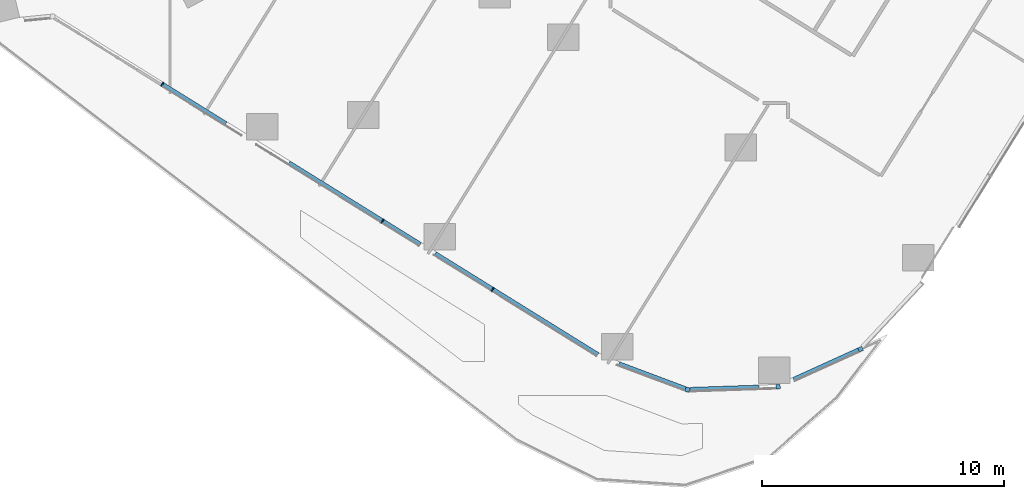
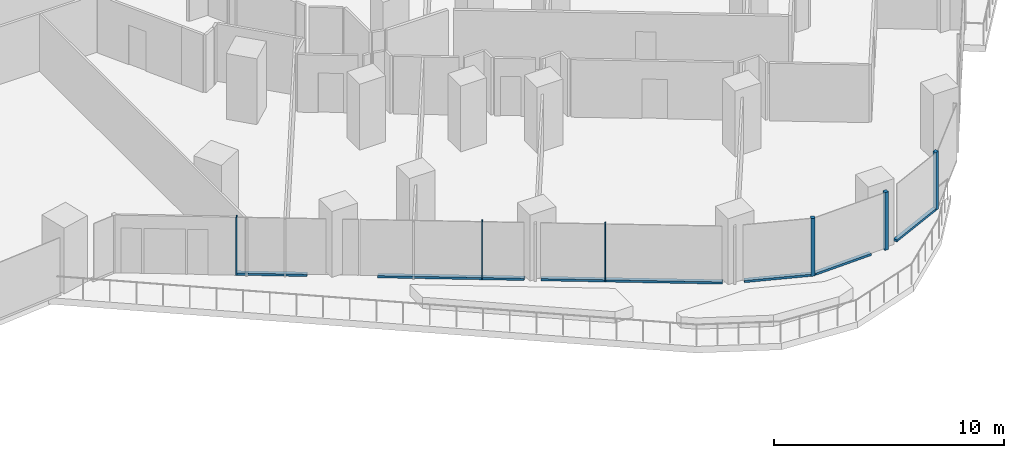
# One storey, part 7 of 34: 12 members, 4 elements without a shape of their own.
"""IFC4 building model written with IfcOpenShell, lengths in metres."""

from ifc_helpers import new_model, si_unit, direction, frame, origin, origin_2d, place, context, subcontext, project, spatial, rectangle, extrude, material, material_profile, profile_set, type_object, element, aggregate, save


model = new_model("IFC4")

# Units and contexts
model_context = context("Model", 3, precision=1e-05, world=origin(), true_north=direction((0.0, 1.0)))
body_context = subcontext(model_context, "Body", "Model", "MODEL_VIEW")
ifc_project = project(units=[si_unit("LENGTHUNIT", "METRE"), si_unit("AREAUNIT", "SQUARE_METRE"), si_unit("VOLUMEUNIT", "CUBIC_METRE"), si_unit("PLANEANGLEUNIT", "RADIAN"), si_unit("MASSUNIT", "GRAM", prefix="KILO")], contexts=[model_context])

# Site, building, storey
site_placement = place(None, origin())
site = spatial("IfcSite", under=ifc_project, at=site_placement, CompositionType="ELEMENT")
building_placement = place(site_placement, origin())
building = spatial("IfcBuilding", under=site, at=building_placement, Name="Orlundy Tower", CompositionType="ELEMENT")
storey_placement = place(building_placement, frame((0.0, 0.0, 37.300048828125)))
storey = spatial("IfcBuildingStorey", under=building, at=storey_placement, Name="L07", CompositionType="ELEMENT", Elevation=37.300048828125)

# Curtain wall, member
ifc_material_1 = material(Name="Aluminium bronze anodised", Category="aluminium")
curtain_wall_type = type_object("IfcCurtainWallType", Name="CW1 wall", PredefinedType="NOTDEFINED", material=ifc_material_1)
curtain_wall_1_placement = place(storey_placement, origin())
curtain_wall_1 = element("IfcCurtainWall", 1, at=curtain_wall_1_placement, inside=storey, type_object=curtain_wall_type, Name="CW1 run 013", PredefinedType="NOTDEFINED")
ifc_material_2 = material(Name="Aluminium bronze anodised", Category="aluminium")
ifc_material_profile_1 = material_profile(ifc_material_2, rectangle(XDim=0.179931640625, YDim=0.179931640625, at=origin_2d()), Name="CW1 corner post 180x180")
ifc_profile_set_1 = profile_set([ifc_material_profile_1], Name="Aluminium bronze anodised")
member_type_1 = type_object("IfcMemberType", Name="CW1 corner post 180x180", PredefinedType="MULLION", material=ifc_profile_set_1)
member_1_placement = place(storey_placement, frame((42.533447265625, -43.08544921875, 0.0), z_axis=(0.0, 0.0, 1.0), x_axis=(0.413335357608, -0.91057887201, 0.0)))
member_1 = element("IfcMember", 2, at=member_1_placement, type_object=member_type_1, Name="CW1 mullion 41", PredefinedType="MULLION", context=body_context, shape_type="SweptSolid", body=[
    extrude(rectangle(XDim=0.179931640625, YDim=0.179931640625, at=origin_2d()), origin(), (0.0, 0.0, 1.0), 3.079833984375),
])

curtain_wall_2_placement = place(storey_placement, origin())
curtain_wall_2 = element("IfcCurtainWall", 3, at=curtain_wall_2_placement, inside=storey, type_object=curtain_wall_type, Name="CW1 run 014", PredefinedType="NOTDEFINED")
member_2_placement = place(storey_placement, frame((39.1259765625, -44.63232421875, 0.0), z_axis=(0.0, 0.0, 1.0), x_axis=(0.033449557474, -0.99944040698, 0.0)))
member_2 = element("IfcMember", 4, at=member_2_placement, type_object=member_type_1, Name="CW1 mullion 42", PredefinedType="MULLION", context=body_context, shape_type="SweptSolid", body=[
    extrude(rectangle(XDim=0.179931640625, YDim=0.179931640625, at=origin_2d()), origin(), (0.0, 0.0, 1.0), 3.079833984375),
])

curtain_wall_3_placement = place(storey_placement, origin())
curtain_wall_3 = element("IfcCurtainWall", 5, at=curtain_wall_3_placement, inside=storey, type_object=curtain_wall_type, Name="CW1 run 015", PredefinedType="NOTDEFINED")
member_3_placement = place(storey_placement, frame((35.385009765625, -44.757568359375, 0.0), z_axis=(0.0, 0.0, 1.0), x_axis=(-0.351537332791, -0.936173864009, 0.0)))
member_3 = element("IfcMember", 6, at=member_3_placement, type_object=member_type_1, Name="CW1 mullion 43", PredefinedType="MULLION", context=body_context, shape_type="SweptSolid", body=[
    extrude(rectangle(XDim=0.179931640625, YDim=0.179931640625, at=origin_2d()), origin(), (0.0, 0.0, 1.0), 3.079833984375),
])

# Curtain wall, members
curtain_wall_4_placement = place(storey_placement, origin())
curtain_wall_4 = element("IfcCurtainWall", 7, at=curtain_wall_4_placement, inside=storey, type_object=curtain_wall_type, Name="CW1 run 016", PredefinedType="NOTDEFINED")
ifc_material_3 = material(Name="Aluminium bronze anodised", Category="aluminium")
ifc_material_profile_2 = material_profile(ifc_material_3, rectangle(XDim=0.179931640625, YDim=0.050048828125, at=origin_2d()), Name="CW1 mullion 50x180")
ifc_profile_set_2 = profile_set([ifc_material_profile_2], Name="Aluminium bronze anodised")
member_type_2 = type_object("IfcMemberType", Name="CW1 mullion 50x180", PredefinedType="MULLION", material=ifc_profile_set_2)
member_4_placement = place(storey_placement, frame((27.33154296875, -40.614990234375, 0.0), z_axis=(0.0, 0.0, 1.0), x_axis=(-0.52744929328, -0.849586512969, 0.0)))
member_4 = element("IfcMember", 8, at=member_4_placement, type_object=member_type_2, Name="CW1 mullion 45", PredefinedType="MULLION", context=body_context, shape_type="SweptSolid", body=[
    extrude(rectangle(XDim=0.179931640625, YDim=0.050048828125, at=origin_2d()), origin(), (0.0, 0.0, 1.0), 3.079833984375),
])
member_5_placement = place(storey_placement, frame((22.780517578125, -37.78955078125, 0.0), z_axis=(0.0, 0.0, 1.0), x_axis=(-0.52744929328, -0.849586512969, 0.0)))
member_5 = element("IfcMember", 9, at=member_5_placement, type_object=member_type_2, Name="CW1 mullion 46", PredefinedType="MULLION", context=body_context, shape_type="SweptSolid", body=[
    extrude(rectangle(XDim=0.179931640625, YDim=0.050048828125, at=origin_2d()), origin(), (0.0, 0.0, 1.0), 3.079833984375),
])
member_6_placement = place(storey_placement, frame((13.678466796875, -32.138916015625, 0.0), z_axis=(0.0, 0.0, 1.0), x_axis=(-0.52744929328, -0.849586512969, 0.0)))
member_6 = element("IfcMember", 10, at=member_6_placement, type_object=member_type_2, Name="CW1 mullion 48", PredefinedType="MULLION", context=body_context, shape_type="SweptSolid", body=[
    extrude(rectangle(XDim=0.179931640625, YDim=0.050048828125, at=origin_2d()), origin(), (0.0, 0.0, 1.0), 3.079833984375),
])

# Member
ifc_material_4 = material(Name="Aluminium bronze anodised", Category="aluminium")
ifc_material_profile_3 = material_profile(ifc_material_4, rectangle(XDim=0.179931640625, YDim=0.1201171875, at=origin_2d()), Name="CW1 transom 180x120")
ifc_profile_set_3 = profile_set([ifc_material_profile_3], Name="Aluminium bronze anodised")
member_type_3 = type_object("IfcMemberType", Name="CW1 transom 180x120", PredefinedType="USERDEFINED", material=ifc_profile_set_3)
member_7_placement = place(storey_placement, frame((42.45166015625, -43.122802734375, 0.06005859375), z_axis=(-0.910596137733, -0.413297319064, 0.0), x_axis=(0.413297319064, -0.910596137733, 0.0)))
member_7 = element("IfcMember", 11, at=member_7_placement, type_object=member_type_3, Name="CW1 transom", ObjectType="TRANSOM", PredefinedType="USERDEFINED", context=body_context, shape_type="SweptSolid", body=[
    extrude(rectangle(XDim=0.179931640625, YDim=0.1201171875, at=origin_2d()), origin(), (0.0, 0.0, 1.0), 2.947021484375),
])

aggregate(curtain_wall_1, [member_1, member_7])

member_8_placement = place(storey_placement, frame((38.32958984375, -44.658935546875, 0.06005859375), z_axis=(-0.999438420186, -0.033508868315, 0.0), x_axis=(0.033508868315, -0.999438420186, 0.0)))
member_8 = element("IfcMember", 12, at=member_8_placement, type_object=member_type_3, Name="CW1 transom", ObjectType="TRANSOM", PredefinedType="USERDEFINED", context=body_context, shape_type="SweptSolid", body=[
    extrude(rectangle(XDim=0.179931640625, YDim=0.1201171875, at=origin_2d()), origin(), (0.0, 0.0, 1.0), 2.848876953125),
])

aggregate(curtain_wall_2, [member_2, member_8])

member_9_placement = place(storey_placement, frame((35.30078125, -44.725830078125, 0.06005859375), z_axis=(-0.9361721635, 0.35154186136, 0.0), x_axis=(-0.35154186136, -0.9361721635, 0.0)))
member_9 = element("IfcMember", 13, at=member_9_placement, type_object=member_type_3, Name="CW1 transom", ObjectType="TRANSOM", PredefinedType="USERDEFINED", context=body_context, shape_type="SweptSolid", body=[
    extrude(rectangle(XDim=0.179931640625, YDim=0.1201171875, at=origin_2d()), origin(), (0.0, 0.0, 1.0), 2.941162109375),
])

aggregate(curtain_wall_3, [member_3, member_9])

member_10_placement = place(storey_placement, frame((31.675048828125, -43.3115234375, 0.06005859375), z_axis=(-0.849597227848, 0.527432033947, 0.0), x_axis=(-0.527432033947, -0.849597227848, 0.0)))
member_10 = element("IfcMember", 14, at=member_10_placement, type_object=member_type_3, Name="CW1 transom", ObjectType="TRANSOM", PredefinedType="USERDEFINED", context=body_context, shape_type="SweptSolid", body=[
    extrude(rectangle(XDim=0.179931640625, YDim=0.1201171875, at=origin_2d()), origin(), (0.0, 0.0, 1.0), 7.906982421875),
])

member_11_placement = place(storey_placement, frame((24.339111328125, -38.75732421875, 0.06005859375), z_axis=(-0.84958168409, 0.527457071295, 0.0), x_axis=(-0.527457071295, -0.84958168409, 0.0)))
member_11 = element("IfcMember", 15, at=member_11_placement, type_object=member_type_3, Name="CW1 transom", ObjectType="TRANSOM", PredefinedType="USERDEFINED", context=body_context, shape_type="SweptSolid", body=[
    extrude(rectangle(XDim=0.179931640625, YDim=0.1201171875, at=origin_2d()), origin(), (0.0, 0.0, 1.0), 6.38623046875),
])

member_12_placement = place(storey_placement, frame((16.302978515625, -33.768310546875, 0.06005859375), z_axis=(-0.849583533317, 0.527454092709, 0.0), x_axis=(-0.527454092709, -0.849583533317, 0.0)))
member_12 = element("IfcMember", 16, at=member_12_placement, type_object=member_type_3, Name="CW1 transom", ObjectType="TRANSOM", PredefinedType="USERDEFINED", context=body_context, shape_type="SweptSolid", body=[
    extrude(rectangle(XDim=0.179931640625, YDim=0.1201171875, at=origin_2d()), origin(), (0.0, 0.0, 1.0), 3.064208984375),
])

aggregate(curtain_wall_4, [member_4, member_5, member_6, member_10, member_11, member_12])

save(model, "model.ifc")
